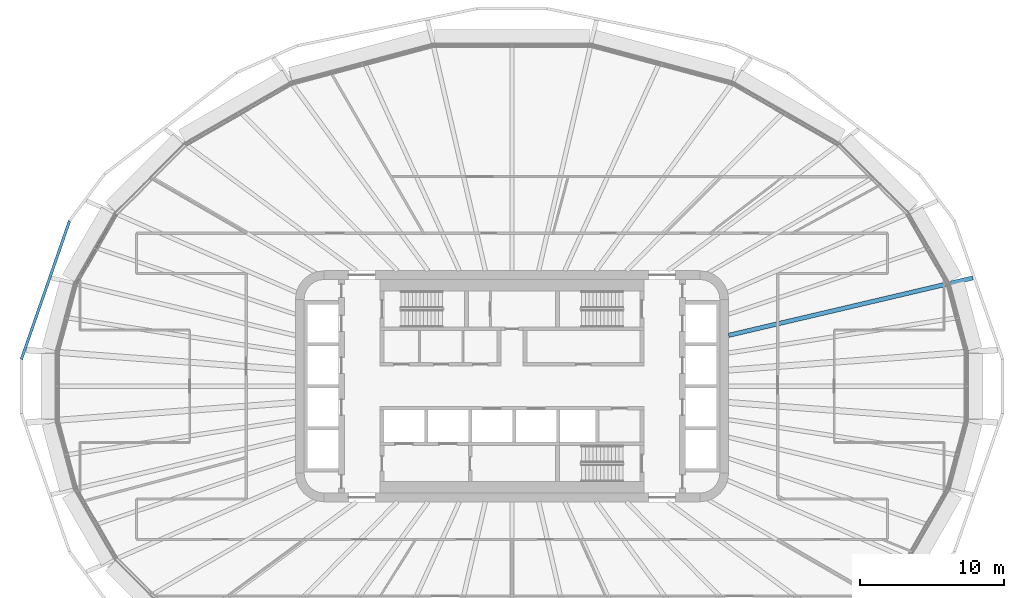
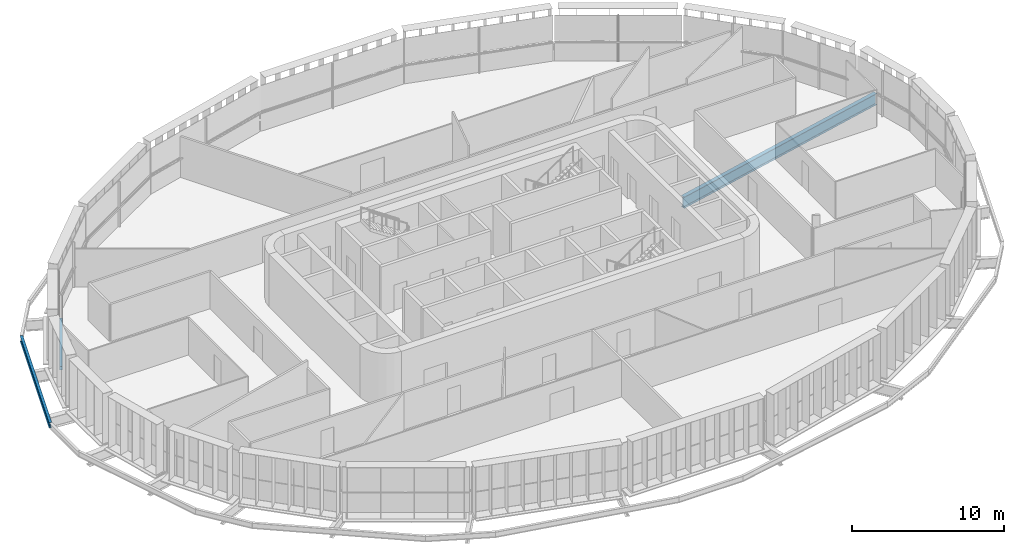
# One storey, part 6 of 25: 3 beams.
"""IFC4 building model written with IfcOpenShell, lengths in metres."""

from ifc_helpers import new_model, si_unit, direction, frame, origin, origin_2d, place, context, subcontext, project, spatial, i_section, extrude, material, material_profile, profile_set, type_object, element, save


model = new_model("IFC4")

# Units and contexts
model_context = context("Model", 3, precision=1e-05, world=origin(), true_north=direction((0.0, 1.0)))
body_context = subcontext(model_context, "Body", "Model", "MODEL_VIEW")
ifc_project = project(units=[si_unit("LENGTHUNIT", "METRE"), si_unit("AREAUNIT", "SQUARE_METRE"), si_unit("VOLUMEUNIT", "CUBIC_METRE"), si_unit("PLANEANGLEUNIT", "RADIAN"), si_unit("MASSUNIT", "GRAM", prefix="KILO")], contexts=[model_context])

# Site, building, storey
site_placement = place(None, origin())
site = spatial("IfcSite", under=ifc_project, at=site_placement, CompositionType="ELEMENT")
building_placement = place(site_placement, origin())
building = spatial("IfcBuilding", under=site, at=building_placement, Name="Sahrelin Media Tower", CompositionType="ELEMENT")
storey_placement = place(building_placement, frame((0.0, 0.0, 144.0)))
storey = spatial("IfcBuildingStorey", under=building, at=storey_placement, Name="L29", CompositionType="ELEMENT", Elevation=144.0)

# Beams
ifc_material = material(Name="Steel S355", Category="steel")
ifc_material_profile_1 = material_profile(ifc_material, i_section(OverallWidth=0.1650390625, OverallDepth=0.303466796875, WebThickness=0.006103515625, FlangeThickness=0.01025390625, FilletRadius=0.0087890625, at=origin_2d()), Name="UB 305x165x40")
ifc_profile_set_1 = profile_set([ifc_material_profile_1], Name="Steel S355")
beam_type_1 = type_object("IfcBeamType", Name="Edge beam EB2", PredefinedType="BEAM", material=ifc_profile_set_1)
beam_1_placement = place(storey_placement, frame((-30.15478515625, 7.07861328125, -0.3017578125), z_axis=(0.500036242679, 0.866004478053, 0.0), x_axis=(-0.866004478053, 0.500036242679, 0.0)))
element("IfcBeam", 1, at=beam_1_placement, inside=storey, type_object=beam_type_1, Name="Edge beam L29-15", PredefinedType="BEAM", context=body_context, shape_type="SweptSolid", body=[
    extrude(i_section(OverallWidth=0.1650390625, OverallDepth=0.303466796875, WebThickness=0.006103515625, FlangeThickness=0.01025390625, FilletRadius=0.0087890625, at=origin_2d()), origin(), (0.0, 0.0, 1.0), 5.544921875),
])
ifc_material_profile_2 = material_profile(ifc_material, i_section(OverallWidth=0.30322265625, OverallDepth=0.903076171875, WebThickness=0.01513671875, FlangeThickness=0.020263671875, FilletRadius=0.01904296875, at=origin_2d()), Name="UB 914x305x201")
ifc_profile_set_2 = profile_set([ifc_material_profile_2], Name="Steel S355")
beam_type_2 = type_object("IfcBeamType", Name="Radial primary beam PB11", PredefinedType="BEAM", material=ifc_profile_set_2)
beam_2_placement = place(storey_placement, frame((15.0, 3.5263671875, -0.6015625), z_axis=(0.973460472846, 0.228855211448, 0.0), x_axis=(-0.228855211448, 0.973460472846, 0.0)))
element("IfcBeam", 2, at=beam_2_placement, inside=storey, type_object=beam_type_2, Name="Radial beam L29-02", PredefinedType="BEAM", context=body_context, shape_type="SweptSolid", body=[
    extrude(i_section(OverallWidth=0.30322265625, OverallDepth=0.903076171875, WebThickness=0.01513671875, FlangeThickness=0.020263671875, FilletRadius=0.01904296875, at=origin_2d()), origin(), (0.0, 0.0, 1.0), 17.368408203125),
])
ifc_material_profile_3 = material_profile(ifc_material, i_section(OverallWidth=0.1904296875, OverallDepth=0.45703125, WebThickness=0.009033203125, FlangeThickness=0.014404296875, FilletRadius=0.01025390625, at=origin_2d()), Name="UB 457x191x74")
ifc_profile_set_3 = profile_set([ifc_material_profile_3], Name="Steel S355")
beam_type_3 = type_object("IfcBeamType", Name="Tie chord TC5", PredefinedType="BEAM", material=ifc_profile_set_3)
beam_3_placement = place(storey_placement, frame((-30.632568359375, 11.453125, -0.37841796875), z_axis=(-0.32875951302, -0.944413671332, 0.0), x_axis=(0.944413671332, -0.32875951302, 0.0)))
element("IfcBeam", 3, at=beam_3_placement, inside=storey, type_object=beam_type_3, Name="Tie chord L29-11", PredefinedType="BEAM", context=body_context, shape_type="SweptSolid", body=[
    extrude(i_section(OverallWidth=0.1904296875, OverallDepth=0.45703125, WebThickness=0.009033203125, FlangeThickness=0.014404296875, FilletRadius=0.01025390625, at=origin_2d()), origin(), (0.0, 0.0, 1.0), 10.14697265625),
])

save(model, "model.ifc")
